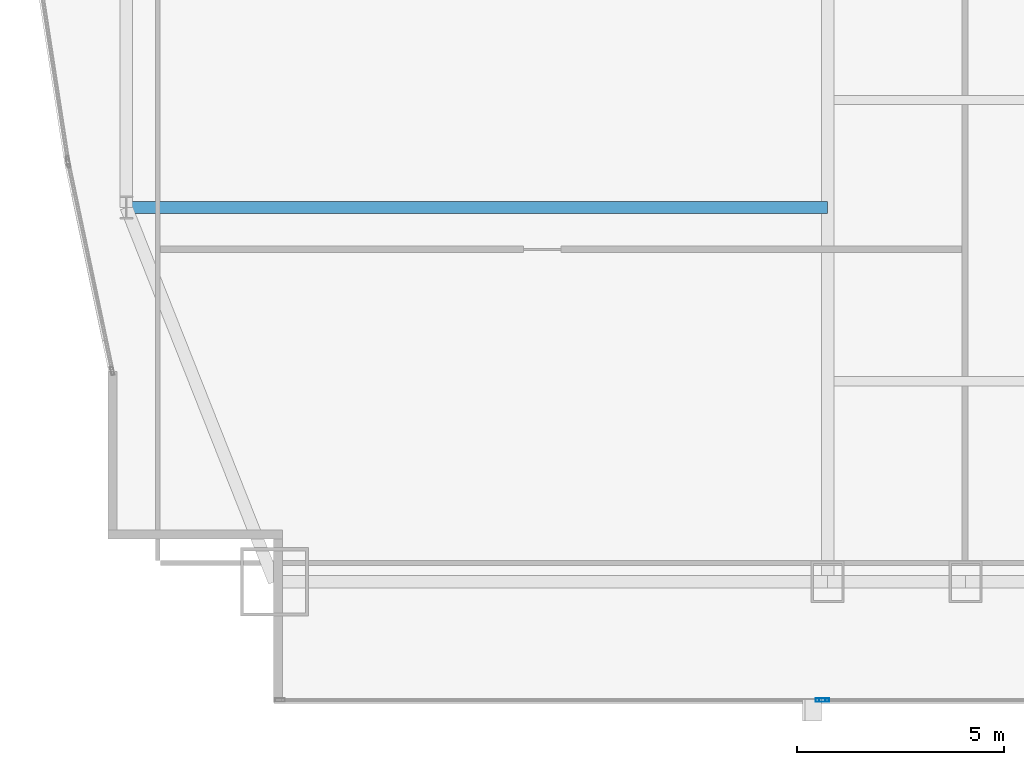
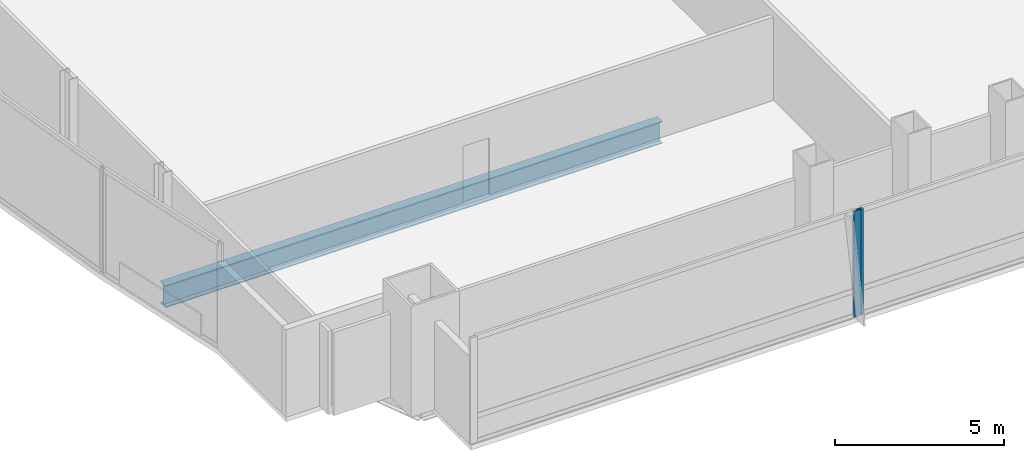
# One storey, part 7 of 35: 2 members, 1 beam, 2 elements without a shape of their own.
"""IFC4 building model written with IfcOpenShell, lengths in metres."""

from ifc_helpers import new_model, si_unit, direction, frame, origin, origin_2d, place, context, subcontext, project, spatial, hollow_rectangle, i_section, extrude, material, material_profile, profile_set, type_object, element, aggregate, save


model = new_model("IFC4")

# Units and contexts
model_context = context("Model", 3, precision=1e-05, world=origin(), true_north=direction((0.0, 1.0)))
body_context = subcontext(model_context, "Body", "Model", "MODEL_VIEW")
ifc_project = project(units=[si_unit("LENGTHUNIT", "METRE"), si_unit("AREAUNIT", "SQUARE_METRE"), si_unit("VOLUMEUNIT", "CUBIC_METRE"), si_unit("PLANEANGLEUNIT", "RADIAN"), si_unit("MASSUNIT", "GRAM", prefix="KILO")], contexts=[model_context])

# Site, building, storey
site_placement = place(None, origin())
site = spatial("IfcSite", under=ifc_project, at=site_placement, CompositionType="ELEMENT")
building_placement = place(site_placement, origin())
building = spatial("IfcBuilding", under=site, at=building_placement, Name="Khoronbel Lancet Exchange", CompositionType="ELEMENT")
storey_placement = place(building_placement, frame((0.0, 0.0, 53.800048828125)))
storey = spatial("IfcBuildingStorey", under=building, at=storey_placement, Name="L12", CompositionType="ELEMENT", Elevation=53.800048828125)

# Beam
ifc_material_1 = material(Name="Steel S355", Category="steel")
ifc_material_profile_1 = material_profile(ifc_material_1, i_section(OverallWidth=0.300048828125, OverallDepth=0.800048828125, WebThickness=0.017578125, FlangeThickness=0.032958984375, at=origin_2d()), Name="HEB 800")
ifc_profile_set_1 = profile_set([ifc_material_profile_1], Name="Steel S355")
beam_type = type_object("IfcBeamType", Name="BM-BG2", PredefinedType="BEAM", material=ifc_profile_set_1)
beam_placement = place(storey_placement, frame((1.27001953125, 19.199951171875, -0.580078125), z_axis=(1.0, 0.0, 0.0), x_axis=(0.0, 1.0, 0.0)))
element("IfcBeam", 1, at=beam_placement, inside=storey, type_object=beam_type, Name="Level L12 west lens tie girder LG1W", PredefinedType="BEAM", context=body_context, shape_type="SweptSolid", body=[
    extrude(i_section(OverallWidth=0.300048828125, OverallDepth=0.800048828125, WebThickness=0.017578125, FlangeThickness=0.032958984375, at=origin_2d()), origin(), (0.0, 0.0, 1.0), 16.955078125),
])

# Curtain wall, member
ifc_material_2 = material(Name="Low-E Solar Control Insulating Glass", Category="glass")
curtain_wall_type = type_object("IfcCurtainWallType", Name="CW-1", PredefinedType="NOTDEFINED", material=ifc_material_2)
curtain_wall_1_placement = place(storey_placement, origin())
curtain_wall_1 = element("IfcCurtainWall", 2, at=curtain_wall_1_placement, inside=storey, type_object=curtain_wall_type, Name="Unitised curtain wall CW-L12-SWV", PredefinedType="NOTDEFINED")
ifc_material_3 = material(Name="Bronze-Anodised Aluminium 6063-T6", Category="aluminium")
ifc_material_profile_2 = material_profile(ifc_material_3, hollow_rectangle(XDim=0.0849609375, YDim=0.239990234375, WallThickness=0.006103515625, at=origin_2d()), Name="ALU MULLION 85x240")
ifc_profile_set_2 = profile_set([ifc_material_profile_2], Name="Bronze-Anodised Aluminium 6063-T6")
member_type = type_object("IfcMemberType", Name="MEM-CWM1", PredefinedType="MULLION", material=ifc_profile_set_2)
member_1_placement = place(storey_placement, frame((18.0576171875, 7.2900390625, 0.0), z_axis=(0.0, 0.0, 1.0), x_axis=(0.0, 1.0, 0.0)))
member_1 = element("IfcMember", 3, at=member_1_placement, type_object=member_type, Name="CW1 mullion 2", PredefinedType="MULLION", context=body_context, shape_type="SweptSolid", body=[
    extrude(hollow_rectangle(XDim=0.0849609375, YDim=0.239990234375, WallThickness=0.006103515625, at=origin_2d()), origin(), (0.0, 0.0, 1.0), 3.820068359375),
])
aggregate(curtain_wall_1, [member_1])

curtain_wall_2_placement = place(storey_placement, origin())
curtain_wall_2 = element("IfcCurtainWall", 4, at=curtain_wall_2_placement, inside=storey, type_object=curtain_wall_type, Name="Unitised curtain wall CW-L12-SWB", PredefinedType="NOTDEFINED")
member_2_placement = place(storey_placement, frame((18.142578125, 7.2900390625, 0.0), z_axis=(0.0, 0.0, 1.0), x_axis=(0.0, 1.0, 0.0)))
member_2 = element("IfcMember", 5, at=member_2_placement, type_object=member_type, Name="CW1 mullion 1", PredefinedType="MULLION", context=body_context, shape_type="SweptSolid", body=[
    extrude(hollow_rectangle(XDim=0.0849609375, YDim=0.239990234375, WallThickness=0.006103515625, at=origin_2d()), origin(), (0.0, 0.0, 1.0), 3.820068359375),
])
aggregate(curtain_wall_2, [member_2])

save(model, "model.ifc")
